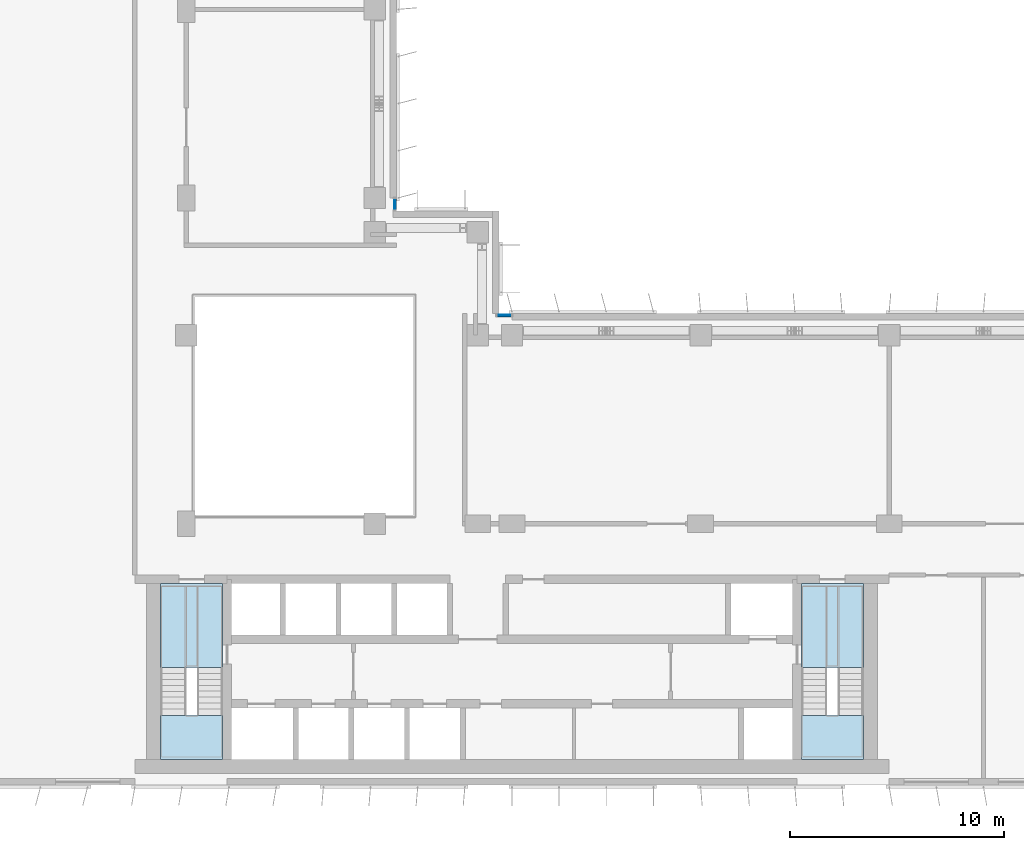
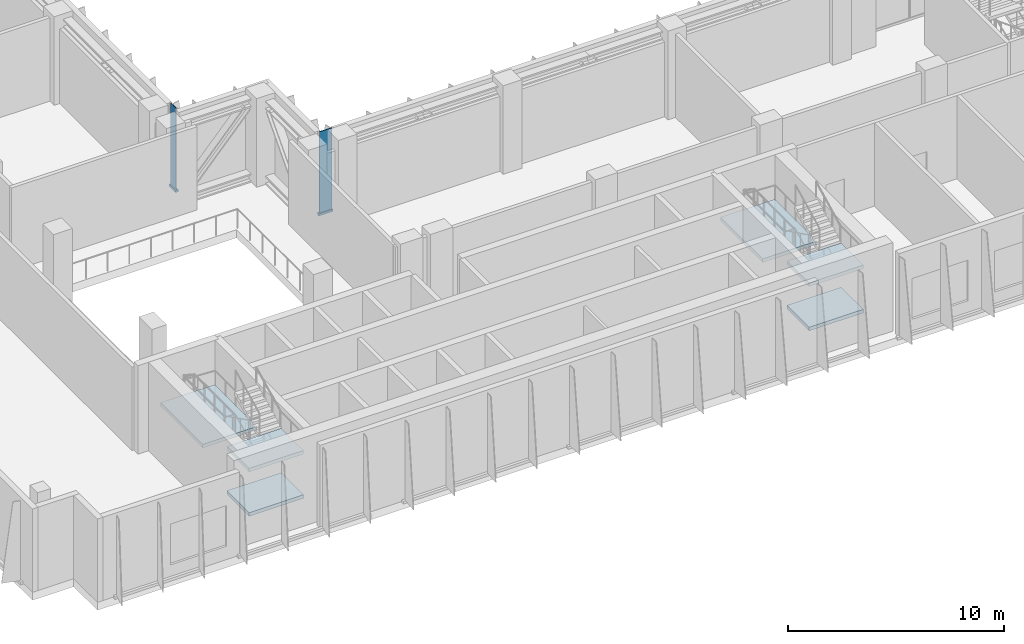
# One storey, part 9 of 17: 6 slabs, 2 members, 2 plates, 4 elements without a shape of their own.
"""IFC4 building model written with IfcOpenShell, lengths in metres."""

from ifc_helpers import new_model, si_unit, direction, frame, origin, origin_2d, place, context, subcontext, project, spatial, polyline, rectangle, outline, extrude, source, transform, mapped, material, layer, layer_set, material_profile, profile_set, type_object, element, aggregate, save


model = new_model("IFC4")

# Units and contexts
model_context = context("Model", 3, precision=1e-05, world=origin(), true_north=direction((0.0, 1.0)))
body_context = subcontext(model_context, "Body", "Model", "MODEL_VIEW")
ifc_project = project(units=[si_unit("LENGTHUNIT", "METRE"), si_unit("AREAUNIT", "SQUARE_METRE"), si_unit("VOLUMEUNIT", "CUBIC_METRE"), si_unit("PLANEANGLEUNIT", "RADIAN"), si_unit("MASSUNIT", "GRAM", prefix="KILO")], contexts=[model_context])

# Site, building, storey
site_placement = place(None, origin())
site = spatial("IfcSite", under=ifc_project, at=site_placement, CompositionType="ELEMENT")
building_placement = place(site_placement, origin())
building = spatial("IfcBuilding", under=site, at=building_placement, Name="Kemantara Hotel Tower", CompositionType="ELEMENT")
storey_placement = place(building_placement, frame((0.0, 0.0, 193.800048828125)))
storey = spatial("IfcBuildingStorey", under=building, at=storey_placement, Name="L48", CompositionType="ELEMENT", Elevation=193.800048828125)

# Curtain wall, member
ifc_material_1 = material(Name="Low-E tinted double insulated glass 36 mm", Category="glass")
curtain_wall_type = type_object("IfcCurtainWallType", Name="TOWER CURTAIN WALL, FRONT FACES", PredefinedType="USERDEFINED", material=ifc_material_1)
curtain_wall_1_placement = place(storey_placement, origin())
curtain_wall_1 = element("IfcCurtainWall", 1, at=curtain_wall_1_placement, inside=storey, type_object=curtain_wall_type, Name="CW4 L48 T3-R14-2", ObjectType="TOWER CURTAIN WALL, FRONT FACES", PredefinedType="USERDEFINED")
ifc_material_2 = material(Name="Aluminium 6063-T6 bronze anodised", Category="aluminium")
ifc_material_profile = material_profile(ifc_material_2, rectangle(XDim=0.14990234375, YDim=0.1201171875, at=origin_2d()), Name="TOWER CURTAIN WALL, FRONT FACES TRANSOM")
ifc_profile_set = profile_set([ifc_material_profile], Name="Aluminium 6063-T6 bronze anodised")
member_type = type_object("IfcMemberType", Name="TOWER CURTAIN WALL, FRONT FACES TRANSOM", PredefinedType="USERDEFINED", material=ifc_profile_set)
member_1_placement = place(storey_placement, frame((27.39990234375, 21.925048828125, 0.06005859375), z_axis=(-1.0, 0.0, 0.0), x_axis=(0.0, -1.0, 0.0)))
member_1 = element("IfcMember", 2, at=member_1_placement, type_object=member_type, Name="CW4 sill transom T3-R14-2", ObjectType="TRANSOM", PredefinedType="USERDEFINED", context=body_context, shape_type="SweptSolid", body=[
    extrude(rectangle(XDim=0.14990234375, YDim=0.1201171875, at=origin_2d()), origin(), (0.0, 0.0, 1.0), 0.75),
])

curtain_wall_2_placement = place(storey_placement, origin())
curtain_wall_2 = element("IfcCurtainWall", 3, at=curtain_wall_2_placement, inside=storey, type_object=curtain_wall_type, Name="CW4 L48 T3-R17-1", ObjectType="TOWER CURTAIN WALL, FRONT FACES", PredefinedType="USERDEFINED")
member_2_placement = place(storey_placement, frame((21.925048828125, 26.800048828125, 0.06005859375), z_axis=(0.0, 1.0, 0.0), x_axis=(-1.0, 0.0, 0.0)))
member_2 = element("IfcMember", 4, at=member_2_placement, type_object=member_type, Name="CW4 sill transom T3-R17-1", ObjectType="TRANSOM", PredefinedType="USERDEFINED", context=body_context, shape_type="SweptSolid", body=[
    extrude(rectangle(XDim=0.14990234375, YDim=0.1201171875, at=origin_2d()), origin(), (0.0, 0.0, 1.0), 0.599853515625),
])

# Stair, slabs
ifc_material_3 = material(Name="Concrete fc 40 MPa", Category="concrete")
stair_type = type_object("IfcStairType", Name="Stair 1200 wide 36 risers of 139 x 280 mm", PredefinedType="HALF_TURN_STAIR", material=ifc_material_3)
stair_1_placement = place(storey_placement, origin())
stair_1 = element("IfcStair", 5, at=stair_1_placement, inside=storey, type_object=stair_type, Name="L48 Exit stair ST1", PredefinedType="HALF_TURN_STAIR")
ifc_layer_1 = layer(ifc_material_3, 0.199951171875)
ifc_layer_set_1 = layer_set([ifc_layer_1], Name="Concrete fc 40 MPa")
slab_type = type_object("IfcSlabType", Name="Stair landing 200 mm", PredefinedType="LANDING", material=ifc_layer_set_1)
slab_1_placement = place(storey_placement, frame((0.0, 0.0, 1.050048828125)))
slab_1 = element("IfcSlab", 6, at=slab_1_placement, type_object=slab_type, Name="ST1 landing 1", PredefinedType="LANDING", context=body_context, shape_type="SweptSolid", body=[
    extrude(outline(polyline([(11.0, 3.260009765625), (11.0, 1.199951171875), (13.89990234375, 1.199951171875), (13.89990234375, 3.260009765625), (11.0, 3.260009765625)])), origin(), (0.0, 0.0, 1.0), 0.199951171875),
])
slab_2_placement = place(storey_placement, frame((0.0, 0.0, 2.300048828125)))
slab_2 = element("IfcSlab", 7, at=slab_2_placement, type_object=slab_type, Name="ST1 landing 2", PredefinedType="LANDING", context=body_context, shape_type="SweptSolid", body=[
    extrude(outline(polyline([(11.0, 9.39990234375), (11.0, 5.5), (13.89990234375, 5.5), (13.89990234375, 9.39990234375), (11.0, 9.39990234375)])), origin(), (0.0, 0.0, 1.0), 0.199951171875),
])
slab_3_placement = place(storey_placement, frame((0.0, 0.0, 3.550048828125)))
slab_3 = element("IfcSlab", 8, at=slab_3_placement, type_object=slab_type, Name="ST1 landing 3", PredefinedType="LANDING", context=body_context, shape_type="SweptSolid", body=[
    extrude(outline(polyline([(11.0, 3.260009765625), (11.0, 1.199951171875), (13.89990234375, 1.199951171875), (13.89990234375, 3.260009765625), (11.0, 3.260009765625)])), origin(), (0.0, 0.0, 1.0), 0.199951171875),
])
aggregate(stair_1, [slab_1, slab_2, slab_3])

stair_2_placement = place(storey_placement, origin())
stair_2 = element("IfcStair", 9, at=stair_2_placement, inside=storey, type_object=stair_type, Name="L48 Exit stair ST2", PredefinedType="HALF_TURN_STAIR")
slab_4_placement = place(storey_placement, frame((0.0, 0.0, 1.050048828125)))
slab_4 = element("IfcSlab", 10, at=slab_4_placement, type_object=slab_type, Name="ST2 landing 1", PredefinedType="LANDING", context=body_context, shape_type="SweptSolid", body=[
    extrude(outline(polyline([(40.89990234375, 3.260009765625), (40.89990234375, 1.199951171875), (43.800048828125, 1.199951171875), (43.800048828125, 3.260009765625), (40.89990234375, 3.260009765625)])), origin(), (0.0, 0.0, 1.0), 0.199951171875),
])
slab_5_placement = place(storey_placement, frame((0.0, 0.0, 2.300048828125)))
slab_5 = element("IfcSlab", 11, at=slab_5_placement, type_object=slab_type, Name="ST2 landing 2", PredefinedType="LANDING", context=body_context, shape_type="SweptSolid", body=[
    extrude(outline(polyline([(40.89990234375, 9.39990234375), (40.89990234375, 5.5), (43.800048828125, 5.5), (43.800048828125, 9.39990234375), (40.89990234375, 9.39990234375)])), origin(), (0.0, 0.0, 1.0), 0.199951171875),
])
slab_6_placement = place(storey_placement, frame((0.0, 0.0, 3.550048828125)))
slab_6 = element("IfcSlab", 12, at=slab_6_placement, type_object=slab_type, Name="ST2 landing 3", PredefinedType="LANDING", context=body_context, shape_type="SweptSolid", body=[
    extrude(outline(polyline([(40.89990234375, 3.260009765625), (40.89990234375, 1.199951171875), (43.800048828125, 1.199951171875), (43.800048828125, 3.260009765625), (40.89990234375, 3.260009765625)])), origin(), (0.0, 0.0, 1.0), 0.199951171875),
])
aggregate(stair_2, [slab_4, slab_5, slab_6])

# Plate
ifc_layer_2 = layer(ifc_material_1, 0.035888671875)
ifc_layer_set_2 = layer_set([ifc_layer_2], Name="Low-E tinted double insulated glass 36 mm")
plate_type = type_object("IfcPlateType", Name="TOWER CURTAIN WALL, FRONT FACES PANEL", PredefinedType="CURTAIN_PANEL", material=ifc_layer_set_2)
shared_shape_1 = source(origin(), body_context, "Body", "SweptSolid", [
    extrude(rectangle(XDim=0.659912109375, YDim=0.035888671875, at=origin_2d()), origin(), (0.0, 0.0, 1.0), 4.580078125),
])
plate_1_placement = place(storey_placement, frame((27.0400390625, 21.925048828125, 0.119873046875), z_axis=(0.0, 0.0, 1.0), x_axis=(-1.0, 0.0, 0.0)))
plate_1 = element("IfcPlate", 13, at=plate_1_placement, type_object=plate_type, Name="CW4 glass panel T3-R14-2.1", PredefinedType="CURTAIN_PANEL", context=body_context, shape_type="MappedRepresentation", body=[
    mapped(shared_shape_1, transform((0.0, 0.0, 0.0))),
])

aggregate(curtain_wall_1, [member_1, plate_1])

shared_shape_2 = source(origin(), body_context, "Body", "SweptSolid", [
    extrude(rectangle(XDim=0.510009765625, YDim=0.035888671875, at=origin_2d()), origin(), (0.0, 0.0, 1.0), 4.580078125),
])
plate_2_placement = place(storey_placement, frame((21.925048828125, 27.114990234375, 0.119873046875), z_axis=(0.0, 0.0, 1.0), x_axis=(0.0, 1.0, 0.0)))
plate_2 = element("IfcPlate", 14, at=plate_2_placement, type_object=plate_type, Name="CW4 glass panel T3-R17-1.1", PredefinedType="CURTAIN_PANEL", context=body_context, shape_type="MappedRepresentation", body=[
    mapped(shared_shape_2, transform((0.0, 0.0, 0.0))),
])

aggregate(curtain_wall_2, [member_2, plate_2])

save(model, "model.ifc")
